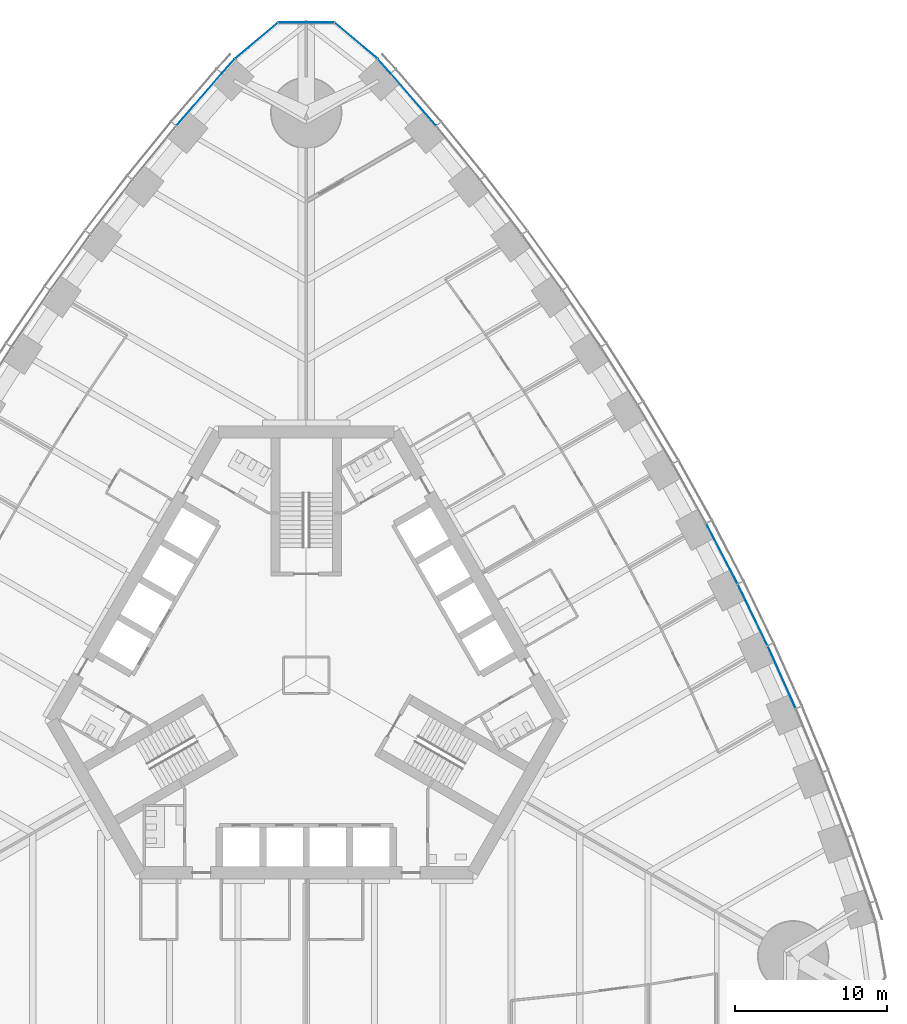
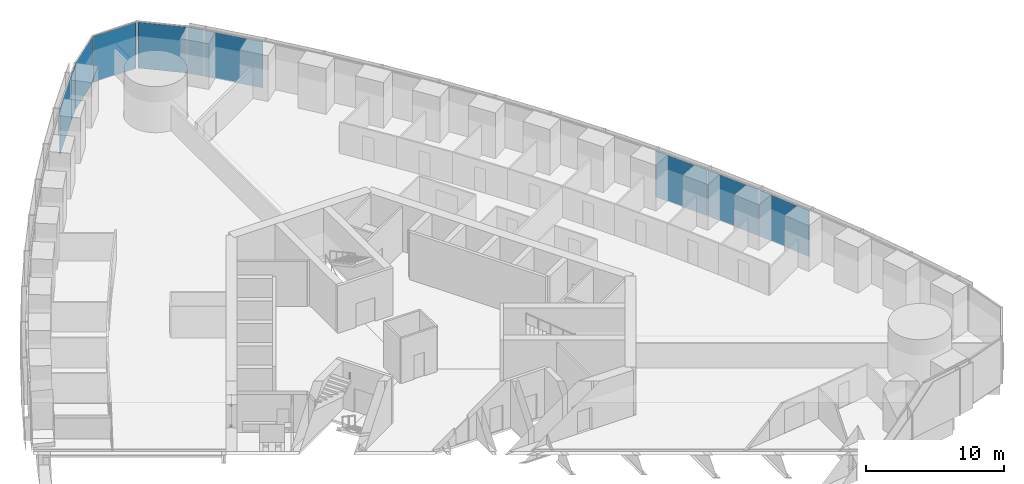
# One storey, part 9 of 19: 10 plates, 3 elements without a shape of their own.
"""IFC4 building model written with IfcOpenShell, lengths in metres."""

import ifcopenshell
import ifcopenshell.guid

model = None  # the IFC model being written
_history = None  # IfcOwnerHistory: only IFC2X3 demands one
_inside = {}  # id of a spatial element -> (the spatial element, [elements in it])
_under = {}  # id of a project, library or spatial element -> (it, [spatial elements below it])
_declared = {}  # id of a project -> (the project, [libraries it declares])
_typed = {}  # id of a type object -> (the type object, [elements of that type])
_made_of = {}  # id of a material, layer set ... -> (it, [elements and type objects made of it])


def new_model(schema):
    """Start an empty IFC model of exactly this schema.

    Asked for "IFC4X3", IfcOpenShell would pick the latest addendum, in which some entities
    have other attributes; the version numbers below select the first issue.
    IFC2X3 requires an IfcOwnerHistory on every rooted entity: one is made here for all.
    """
    global model, _history
    if schema == "IFC4X3":
        model = ifcopenshell.file(schema_version=(4, 3, 0, 0))
    else:
        model = ifcopenshell.file(schema=schema)
    _inside.clear()
    _under.clear()
    _declared.clear()
    _typed.clear()
    _made_of.clear()
    _history = None
    if model.schema == "IFC2X3":
        org = make("IfcOrganization", Name="unknown")
        user = make(
            "IfcPersonAndOrganization",
            ThePerson=make("IfcPerson", FamilyName="unknown"),
            TheOrganization=org,
        )
        app = make(
            "IfcApplication",
            ApplicationDeveloper=org,
            Version="unknown",
            ApplicationFullName="unknown",
            ApplicationIdentifier="unknown",
        )
        _history = make(
            "IfcOwnerHistory",
            OwningUser=user,
            OwningApplication=app,
            ChangeAction="ADDED",
            CreationDate=0,
        )
    return model


def make(cls, **values):
    """One entity of the class cls with the attributes given. An attribute that is None is left unset."""
    return model.create_entity(
        cls, **{name: value for name, value in values.items() if value is not None}
    )


def rooted(cls, **values):
    """An entity with a GlobalId (a new one), such as an element, a storey or a relation."""
    return make(cls, GlobalId=ifcopenshell.guid.new(), OwnerHistory=_history, **values)


def si_unit(unit_type, name, prefix=None):
    """IfcSIUnit, for example si_unit("LENGTHUNIT", "METRE", prefix="MILLI")."""
    return make("IfcSIUnit", UnitType=unit_type, Prefix=prefix, Name=name)


def assignment(units):
    """IfcUnitAssignment: the units of a project."""
    return None if units is None else make("IfcUnitAssignment", Units=units)


def point(xyz):
    """IfcCartesianPoint."""
    return None if xyz is None else make("IfcCartesianPoint", Coordinates=xyz)


def direction(xyz):
    """IfcDirection."""
    return None if xyz is None else make("IfcDirection", DirectionRatios=xyz)


def frame(location, z_axis=None, x_axis=None):
    """IfcAxis2Placement3D, a coordinate frame: its origin and axes. An axis left out is left unset."""
    return make(
        "IfcAxis2Placement3D",
        Location=point(location),
        Axis=direction(z_axis),
        RefDirection=direction(x_axis),
    )


def frame_2d(location, x_axis=None):
    """IfcAxis2Placement2D, a coordinate frame in the plane: its origin and x axis."""
    return make(
        "IfcAxis2Placement2D", Location=point(location), RefDirection=direction(x_axis)
    )


def origin():
    """The frame at (0, 0, 0) with its axes left unset."""
    return frame((0.0, 0.0, 0.0))


def origin_2d():
    """The frame at (0, 0) in the plane with its x axis left unset."""
    return frame_2d((0.0, 0.0))


def place(relative_to, where):
    """IfcLocalPlacement: puts the frame where relative to a parent placement (None: the world)."""
    return make(
        "IfcLocalPlacement", PlacementRelTo=relative_to, RelativePlacement=where
    )


def context(
    kind, dimensions, precision=None, world=None, true_north=None, identifier=None
):
    """IfcGeometricRepresentationContext, for example the 3D "Model" context."""
    return make(
        "IfcGeometricRepresentationContext",
        ContextIdentifier=identifier,
        ContextType=kind,
        CoordinateSpaceDimension=dimensions,
        Precision=precision,
        WorldCoordinateSystem=world,
        TrueNorth=true_north,
    )


def subcontext(parent, identifier, kind, view, scale=None):
    """IfcGeometricRepresentationSubContext, for example "Body" below "Model"."""
    return make(
        "IfcGeometricRepresentationSubContext",
        ContextIdentifier=identifier,
        ContextType=kind,
        ParentContext=parent,
        TargetScale=scale,
        TargetView=view,
    )


def project(units=None, contexts=None):
    """IfcProject with its units and contexts."""
    return rooted(
        "IfcProject",
        Name="project",
        RepresentationContexts=contexts,
        UnitsInContext=assignment(units),
    )


def spatial(cls, under=None, at=None, **own):
    """A site, building, storey or space (cls), placed at a placement, below another one or the project."""
    s = rooted(cls, ObjectPlacement=at, **own)
    if under is not None:
        _under.setdefault(under.id(), (under, []))[1].append(s)
    return s


def profile(cls, at=None, kind="AREA", **sizes):
    """A parametric profile (cls). Its sizes go by their IFC names, for example OverallWidth=200.0."""
    return make(cls, ProfileType=kind, Position=at, **sizes)


def rectangle(**sizes):
    """IfcRectangleProfileDef."""
    return profile("IfcRectangleProfileDef", **sizes)


def extrude(swept, where, along, depth):
    """IfcExtrudedAreaSolid: the profile swept, set in the frame where, extruded along a direction by depth."""
    return make(
        "IfcExtrudedAreaSolid",
        SweptArea=swept,
        Position=where,
        ExtrudedDirection=direction(along),
        Depth=depth,
    )


def shape(context_of_items, identifier, shape_type, items):
    """IfcShapeRepresentation: the items that make up one representation, for example the "Body"."""
    return make(
        "IfcShapeRepresentation",
        ContextOfItems=context_of_items,
        RepresentationIdentifier=identifier,
        RepresentationType=shape_type,
        Items=items,
    )


def material(Name=None, Category=None):
    """IfcMaterial."""
    return make("IfcMaterial", Name=Name, Category=Category)


def layer(
    of_material, thickness, ventilated=None, Name=None, Category=None, Priority=None
):
    """IfcMaterialLayer: one layer of a wall or slab, of a material (None: an air gap)."""
    return make(
        "IfcMaterialLayer",
        Material=of_material,
        LayerThickness=thickness,
        IsVentilated=ventilated,
        Name=Name,
        Category=Category,
        Priority=Priority,
    )


def layer_set(layers, Name=None):
    """IfcMaterialLayerSet."""
    return make("IfcMaterialLayerSet", MaterialLayers=layers, LayerSetName=Name)


def made_of(thing, what):
    """Note that an element or type object is made of a material, layer set ...; save() writes the relation."""
    if what is not None:
        _made_of.setdefault(what.id(), (what, []))[1].append(thing)
    return thing


def type_object(cls, material=None, **own):
    """A type object (cls), such as IfcWallType, which elements share."""
    return made_of(rooted(cls, **own), material)


def element(
    cls,
    number,
    at=None,
    inside=None,
    cuts=None,
    type_object=None,
    material=None,
    context=None,
    identifier="Body",
    shape_type=None,
    held_by="IfcProductDefinitionShape",
    body=None,
    shapes=None,
    **own,
):
    """One element of the class cls, such as IfcWall. Its Tag is "e" and its number.

    at: its placement. inside: the storey or other place that contains it. cuts: it is an
    opening in that element (IfcRelVoidsElement). A single representation is given by context,
    identifier, shape_type and body (its items); several are given by shapes. held_by: the class
    of the entity that holds the representations. save() writes the other relations.
    """
    e = rooted(cls, Tag="e%d" % number, ObjectPlacement=at, **own)
    if body is not None:
        shapes = [shape(context, identifier, shape_type, body)]
    if shapes is not None:
        e.Representation = make(held_by, Representations=shapes)
    if inside is not None:
        _inside.setdefault(inside.id(), (inside, []))[1].append(e)
    if cuts is not None:
        rooted(
            "IfcRelVoidsElement", RelatingBuildingElement=cuts, RelatedOpeningElement=e
        )
    if type_object is not None:
        _typed.setdefault(type_object.id(), (type_object, []))[1].append(e)
    return made_of(e, material)


def aggregate(whole, parts):
    """IfcRelAggregates: a whole, such as a stair, and the parts it consists of."""
    return rooted("IfcRelAggregates", RelatingObject=whole, RelatedObjects=parts)


def save(model, path):
    """Write the relations noted so far, then the file.

    IfcRelAggregates (storeys below a building ...), IfcRelContainedInSpatialStructure (elements
    in a storey), IfcRelDefinesByType, IfcRelAssociatesMaterial and IfcRelDeclares: one each for
    every whole, place, type object, material and project.
    """
    for whole, parts in _under.values():
        aggregate(whole, parts)
    for where, things in _inside.values():
        rooted(
            "IfcRelContainedInSpatialStructure",
            RelatedElements=things,
            RelatingStructure=where,
        )
    for kind, things in _typed.values():
        rooted("IfcRelDefinesByType", RelatedObjects=things, RelatingType=kind)
    for what, things in _made_of.values():
        rooted("IfcRelAssociatesMaterial", RelatedObjects=things, RelatingMaterial=what)
    for by, libraries in _declared.values():
        rooted("IfcRelDeclares", RelatingContext=by, RelatedDefinitions=libraries)
    model.write(path)


model = new_model("IFC4")

# Units and contexts
model_context = context("Model", 3, precision=1e-05, world=origin(), true_north=direction((0.0, 1.0)))
body_context = subcontext(model_context, "Body", "Model", "MODEL_VIEW")
ifc_project = project(units=[si_unit("LENGTHUNIT", "METRE"), si_unit("AREAUNIT", "SQUARE_METRE"), si_unit("VOLUMEUNIT", "CUBIC_METRE"), si_unit("PLANEANGLEUNIT", "RADIAN"), si_unit("MASSUNIT", "GRAM", prefix="KILO")], contexts=[model_context])

# Site, building, storey
site_placement = place(None, origin())
site = spatial("IfcSite", under=ifc_project, at=site_placement, CompositionType="ELEMENT")
building_placement = place(site_placement, origin())
building = spatial("IfcBuilding", under=site, at=building_placement, Name="Trefoil Bronze Tower", CompositionType="ELEMENT")
storey_placement = place(building_placement, frame((0.0, 0.0, 79.5)))
storey = spatial("IfcBuildingStorey", under=building, at=storey_placement, Name="L18", CompositionType="ELEMENT", Elevation=79.5)

# Curtain wall, plates
ifc_material_1 = material(Name="Tinted solar-control glass", Category="glass")
curtain_wall_type_1 = type_object("IfcCurtainWallType", Name="Bronze office curtain wall", PredefinedType="USERDEFINED", material=ifc_material_1)
curtain_wall_1_placement = place(storey_placement, origin())
curtain_wall_1 = element("IfcCurtainWall", 1, at=curtain_wall_1_placement, inside=storey, type_object=curtain_wall_type_1, Name="CW-A L18 F2", ObjectType="CURTAIN WALL", PredefinedType="USERDEFINED")
ifc_material_2 = material(Name="Tinted solar-control glass", Category="glass")
ifc_layer_1 = layer(ifc_material_2, 0.030029296875)
ifc_layer_set_1 = layer_set([ifc_layer_1], Name="Bronze office curtain wall glass panel")
plate_type_1 = type_object("IfcPlateType", Name="Bronze office curtain wall glass panel", PredefinedType="CURTAIN_PANEL", material=ifc_layer_set_1)
plate_1_placement = place(storey_placement, frame((31.28857421875, -0.1337890625, 0.0), z_axis=(0.0, 0.0, 1.0), x_axis=(-0.40945635808, 0.912329705111, 0.0)))
plate_1 = element("IfcPlate", 2, at=plate_1_placement, type_object=plate_type_1, Name="CW-A L18 F2 panel 5", PredefinedType="CURTAIN_PANEL", context=body_context, shape_type="SweptSolid", body=[
    extrude(rectangle(XDim=4.443359375, YDim=0.030029296875, at=origin_2d()), origin(), (0.0, 0.0, 1.0), 4.080078125),
])
plate_2_placement = place(storey_placement, frame((29.3779296875, 3.962646484375, 0.0), z_axis=(0.0, 0.0, 1.0), x_axis=(-0.4358553457, 0.900016731858, 0.0)))
plate_2 = element("IfcPlate", 3, at=plate_2_placement, type_object=plate_type_1, Name="CW-A L18 F2 panel 6", PredefinedType="CURTAIN_PANEL", context=body_context, shape_type="SweptSolid", body=[
    extrude(rectangle(XDim=4.431884765625, YDim=0.030029296875, at=origin_2d()), origin(), (0.0, 0.0, 1.0), 4.080078125),
])
plate_3_placement = place(storey_placement, frame((27.353271484375, 7.9931640625, 0.0), z_axis=(0.0, 0.0, 1.0), x_axis=(-0.46182981834, 0.886968555752, 0.0)))
plate_3 = element("IfcPlate", 4, at=plate_3_placement, type_object=plate_type_1, Name="CW-A L18 F2 panel 7", PredefinedType="CURTAIN_PANEL", context=body_context, shape_type="SweptSolid", body=[
    extrude(rectangle(XDim=4.42431640625, YDim=0.030029296875, at=origin_2d()), origin(), (0.0, 0.0, 1.0), 4.080078125),
])
plate_4_placement = place(storey_placement, frame((7.056396484375, 37.870849609375, 0.0), z_axis=(0.0, 0.0, 1.0), x_axis=(-0.654376090833, 0.756169248083, 0.0)))
plate_4 = element("IfcPlate", 5, at=plate_4_placement, type_object=plate_type_1, Name="CW-A L18 F2 panel 15", PredefinedType="CURTAIN_PANEL", context=body_context, shape_type="SweptSolid", body=[
    extrude(rectangle(XDim=4.502197265625, YDim=0.030029296875, at=origin_2d()), origin(), (0.0, 0.0, 1.0), 4.080078125),
])
plate_5_placement = place(storey_placement, frame((5.12451171875, 40.08447265625, 0.0), z_axis=(0.0, 0.0, 1.0), x_axis=(-0.668575006272, 0.743644714221, 0.0)))
plate_5 = element("IfcPlate", 6, at=plate_5_placement, type_object=plate_type_1, Name="CW-A L18 F2 panel 16", PredefinedType="CURTAIN_PANEL", context=body_context, shape_type="SweptSolid", body=[
    extrude(rectangle(XDim=1.21044921875, YDim=0.030029296875, at=origin_2d()), origin(), (0.0, 0.0, 1.0), 4.080078125),
])
aggregate(curtain_wall_1, [plate_1, plate_2, plate_3, plate_4, plate_5])

curtain_wall_2_placement = place(storey_placement, origin())
curtain_wall_2 = element("IfcCurtainWall", 7, at=curtain_wall_2_placement, inside=storey, type_object=curtain_wall_type_1, Name="CW-A L18 F3", ObjectType="CURTAIN WALL", PredefinedType="USERDEFINED")
plate_6_placement = place(storey_placement, frame((-5.12451171875, 40.08447265625, 0.0), z_axis=(0.0, 0.0, 1.0), x_axis=(-0.668575006272, -0.743644714221, 0.0)))
plate_6 = element("IfcPlate", 8, at=plate_6_placement, type_object=plate_type_1, Name="CW-A L18 F3 panel 1", PredefinedType="CURTAIN_PANEL", context=body_context, shape_type="SweptSolid", body=[
    extrude(rectangle(XDim=1.21044921875, YDim=0.030029296875, at=origin_2d()), origin(), (0.0, 0.0, 1.0), 4.080078125),
])
plate_7_placement = place(storey_placement, frame((-7.056396484375, 37.870849609375, 0.0), z_axis=(0.0, 0.0, 1.0), x_axis=(-0.654376090833, -0.756169248083, 0.0)))
plate_7 = element("IfcPlate", 9, at=plate_7_placement, type_object=plate_type_1, Name="CW-A L18 F3 panel 2", PredefinedType="CURTAIN_PANEL", context=body_context, shape_type="SweptSolid", body=[
    extrude(rectangle(XDim=4.502197265625, YDim=0.030029296875, at=origin_2d()), origin(), (0.0, 0.0, 1.0), 4.080078125),
])
aggregate(curtain_wall_2, [plate_6, plate_7])

ifc_material_3 = material(Name="Tinted solar-control glass", Category="glass")
curtain_wall_type_2 = type_object("IfcCurtainWallType", Name="Bronze rounded corner curtain wall", PredefinedType="USERDEFINED", material=ifc_material_3)
curtain_wall_3_placement = place(storey_placement, origin())
curtain_wall_3 = element("IfcCurtainWall", 10, at=curtain_wall_3_placement, inside=storey, type_object=curtain_wall_type_2, Name="CW-B L18 K2", ObjectType="CURTAIN WALL", PredefinedType="USERDEFINED")
ifc_material_4 = material(Name="Tinted solar-control glass", Category="glass")
ifc_layer_2 = layer(ifc_material_4, 0.030029296875)
ifc_layer_set_2 = layer_set([ifc_layer_2], Name="Bronze rounded corner curtain wall glass panel")
plate_type_2 = type_object("IfcPlateType", Name="Bronze rounded corner curtain wall glass panel", PredefinedType="CURTAIN_PANEL", material=ifc_layer_set_2)
plate_8_placement = place(storey_placement, frame((3.28564453125, 41.74658203125, 0.0), z_axis=(0.0, 0.0, 1.0), x_axis=(-0.766044443119, 0.642787609687, 0.0)))
plate_8 = element("IfcPlate", 11, at=plate_8_placement, type_object=plate_type_2, Name="CW-B L18 K2 panel 1", PredefinedType="CURTAIN_PANEL", context=body_context, shape_type="SweptSolid", body=[
    extrude(rectangle(XDim=3.588134765625, YDim=0.030029296875, at=origin_2d()), origin(), (0.0, 0.0, 1.0), 4.080078125),
])
plate_9_placement = place(storey_placement, frame((0.0, 42.9423828125, 0.0), z_axis=(0.0, 0.0, 1.0), x_axis=(-1.0, 0.0, 0.0)))
plate_9 = element("IfcPlate", 12, at=plate_9_placement, type_object=plate_type_2, Name="CW-B L18 K2 panel 2", PredefinedType="CURTAIN_PANEL", context=body_context, shape_type="SweptSolid", body=[
    extrude(rectangle(XDim=3.588134765625, YDim=0.030029296875, at=origin_2d()), origin(), (0.0, 0.0, 1.0), 4.080078125),
])
plate_10_placement = place(storey_placement, frame((-3.28564453125, 41.74658203125, 0.0), z_axis=(0.0, 0.0, 1.0), x_axis=(-0.766044443119, -0.642787609687, 0.0)))
plate_10 = element("IfcPlate", 13, at=plate_10_placement, type_object=plate_type_2, Name="CW-B L18 K2 panel 3", PredefinedType="CURTAIN_PANEL", context=body_context, shape_type="SweptSolid", body=[
    extrude(rectangle(XDim=3.588134765625, YDim=0.030029296875, at=origin_2d()), origin(), (0.0, 0.0, 1.0), 4.080078125),
])
aggregate(curtain_wall_3, [plate_8, plate_9, plate_10])

save(model, "model.ifc")
